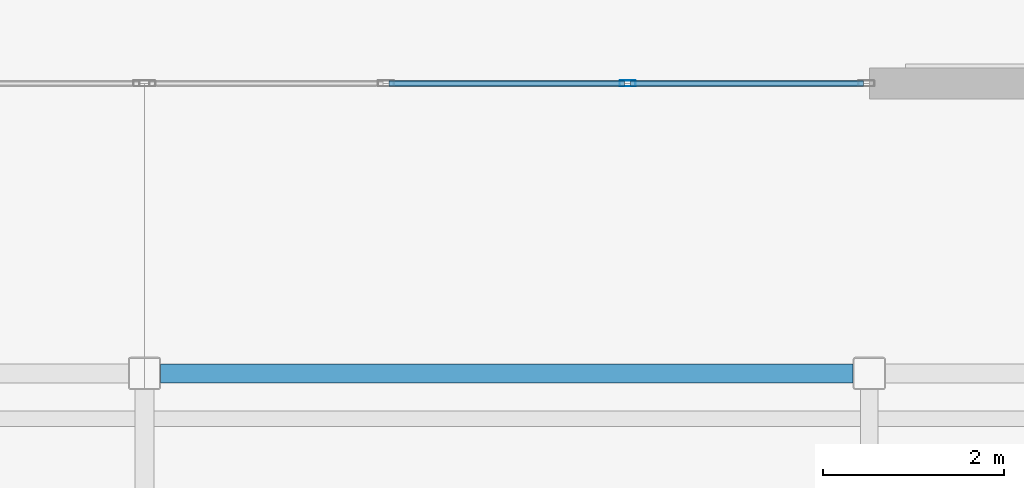
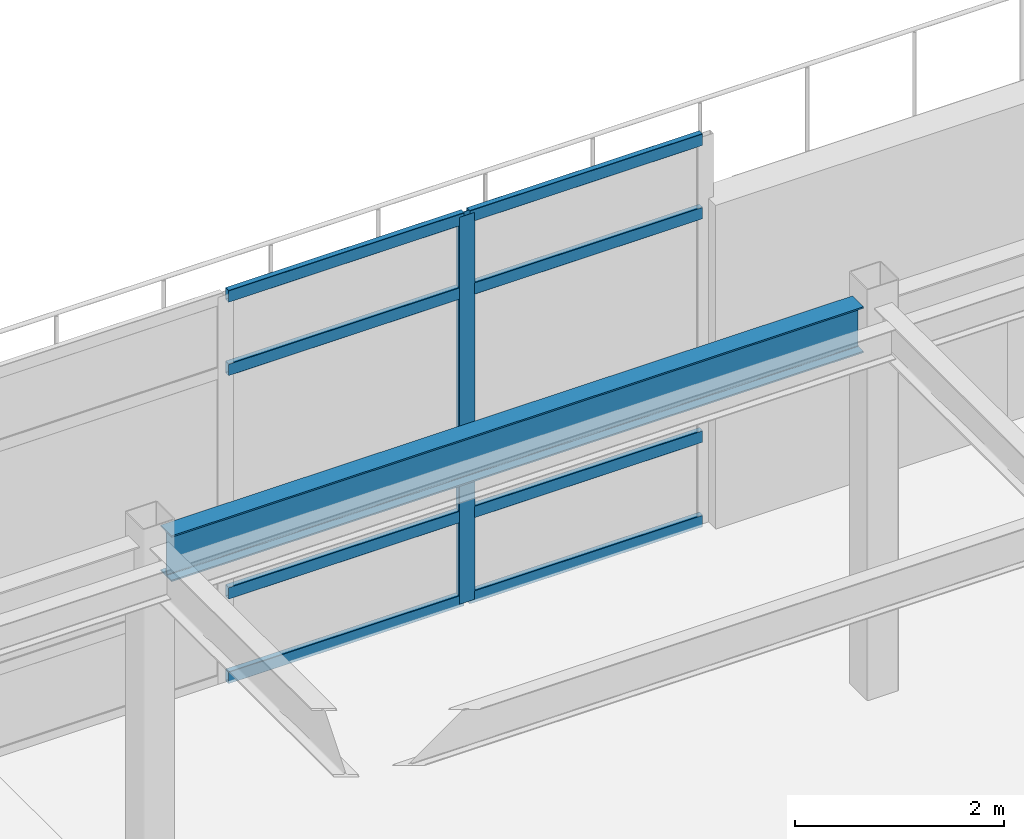
# One storey, part 40 of 117: 9 members, 1 beam, 1 element without a shape of its own.
"""IFC4 building model written with IfcOpenShell, lengths in metres."""

from ifc_helpers import new_model, si_unit, direction, frame, origin, origin_2d, place, context, subcontext, project, spatial, hollow_rectangle, i_section, extrude, material, material_profile, profile_set, type_object, element, aggregate, save


model = new_model("IFC4")

# Units and contexts
model_context = context("Model", 3, precision=1e-05, world=origin(), true_north=direction((0.0, 1.0)))
body_context = subcontext(model_context, "Body", "Model", "MODEL_VIEW")
ifc_project = project(units=[si_unit("LENGTHUNIT", "METRE"), si_unit("AREAUNIT", "SQUARE_METRE"), si_unit("VOLUMEUNIT", "CUBIC_METRE"), si_unit("PLANEANGLEUNIT", "RADIAN"), si_unit("MASSUNIT", "GRAM", prefix="KILO")], contexts=[model_context])

# Site, building, storey
site_placement = place(None, origin())
site = spatial("IfcSite", under=ifc_project, at=site_placement, CompositionType="ELEMENT")
building_placement = place(site_placement, origin())
building = spatial("IfcBuilding", under=site, at=building_placement, Name="Solmirada Galleria", CompositionType="ELEMENT")
storey_placement = place(building_placement, frame((0.0, 0.0, 5.60009765625)))
storey = spatial("IfcBuildingStorey", under=building, at=storey_placement, Name="L01", CompositionType="ELEMENT", Elevation=5.60009765625)

# Beam
ifc_material_1 = material(Name="Steel S355 / ASTM A992 Grade 50", Category="steel")
ifc_material_profile_1 = material_profile(ifc_material_1, i_section(OverallWidth=0.2099609375, OverallDepth=0.537109375, WebThickness=0.010986328125, FlangeThickness=0.017333984375, FilletRadius=0.014892578125, at=origin_2d()), Name="W21X68")
ifc_profile_set_1 = profile_set([ifc_material_profile_1], Name="Steel S355 / ASTM A992 Grade 50")
beam_type = type_object("IfcBeamType", Name="BM-GIRD-W21B", PredefinedType="BEAM", material=ifc_profile_set_1)
beam_placement = place(storey_placement, frame((112.177978515625, 40.0, 4.29150390625), z_axis=(1.0, 0.0, 0.0), x_axis=(0.0, 1.0, 0.0)))
element("IfcBeam", 1, at=beam_placement, inside=storey, type_object=beam_type, Name="Primary beam L02 X(112..120, 40)", PredefinedType="BEAM", context=body_context, shape_type="SweptSolid", body=[
    extrude(i_section(OverallWidth=0.2099609375, OverallDepth=0.537109375, WebThickness=0.010986328125, FlangeThickness=0.017333984375, FilletRadius=0.014892578125, at=origin_2d()), origin(), (0.0, 0.0, 1.0), 7.64404296875),
])

# Curtain wall, members
ifc_material_2 = material(Name="Impact-resistant low-E double glazing", Category="glass")
curtain_wall_type = type_object("IfcCurtainWallType", Name="CW-FZ5-L01-B3-L080", PredefinedType="NOTDEFINED", material=ifc_material_2)
curtain_wall_placement = place(storey_placement, origin())
curtain_wall = element("IfcCurtainWall", 2, at=curtain_wall_placement, inside=storey, type_object=curtain_wall_type, Name="Terrace and arcade storefront CW-L01-075", PredefinedType="NOTDEFINED")
ifc_material_3 = material(Name="Anodised aluminium framing", Category="aluminium")
ifc_material_profile_2 = material_profile(ifc_material_3, hollow_rectangle(XDim=0.06494140625, YDim=0.179931640625, WallThickness=0.00390625, InnerFilletRadius=0.00390625, OuterFilletRadius=0.008056640625, at=origin_2d()), Name="ALU-MULL-180X65")
ifc_profile_set_2 = profile_set([ifc_material_profile_2], Name="Anodised aluminium framing")
member_type_1 = type_object("IfcMemberType", Name="CW-MULL-180", PredefinedType="MULLION", material=ifc_profile_set_2)
member_1_placement = place(storey_placement, frame((117.333251953125, 43.199951171875, 0.0), z_axis=(0.0, 0.0, 1.0), x_axis=(0.0, 1.0, 0.0)))
member_1 = element("IfcMember", 3, at=member_1_placement, type_object=member_type_1, Name="CW17 mullion 3", PredefinedType="MULLION", context=body_context, shape_type="SweptSolid", body=[
    extrude(hollow_rectangle(XDim=0.06494140625, YDim=0.179931640625, WallThickness=0.00390625, InnerFilletRadius=0.00390625, OuterFilletRadius=0.008056640625, at=origin_2d()), origin(), (0.0, 0.0, 1.0), 4.52001953125),
])
ifc_material_profile_3 = material_profile(ifc_material_3, hollow_rectangle(XDim=0.06494140625, YDim=0.139892578125, WallThickness=0.00341796875, InnerFilletRadius=0.00341796875, OuterFilletRadius=0.007080078125, at=origin_2d()), Name="ALU-TRAN-140X65")
ifc_profile_set_3 = profile_set([ifc_material_profile_3], Name="Anodised aluminium framing")
member_type_2 = type_object("IfcMemberType", Name="CW-TRAN-140", PredefinedType="USERDEFINED", material=ifc_profile_set_3)
member_2_placement = place(storey_placement, frame((114.69921875, 43.199951171875, 0.032470703125), z_axis=(1.0, 0.0, 0.0), x_axis=(0.0, 1.0, 0.0)))
member_2 = element("IfcMember", 4, at=member_2_placement, type_object=member_type_2, Name="CW17 transom 2.1", ObjectType="TRANSOM", PredefinedType="USERDEFINED", context=body_context, shape_type="SweptSolid", body=[
    extrude(hollow_rectangle(XDim=0.06494140625, YDim=0.139892578125, WallThickness=0.00341796875, InnerFilletRadius=0.00341796875, OuterFilletRadius=0.007080078125, at=origin_2d()), origin(), (0.0, 0.0, 1.0), 2.6015625),
])
member_3_placement = place(storey_placement, frame((114.69921875, 43.199951171875, 1.02001953125), z_axis=(1.0, 0.0, 0.0), x_axis=(0.0, 1.0, 0.0)))
member_3 = element("IfcMember", 5, at=member_3_placement, type_object=member_type_2, Name="CW17 transom 2.2", ObjectType="TRANSOM", PredefinedType="USERDEFINED", context=body_context, shape_type="SweptSolid", body=[
    extrude(hollow_rectangle(XDim=0.06494140625, YDim=0.139892578125, WallThickness=0.00341796875, InnerFilletRadius=0.00341796875, OuterFilletRadius=0.007080078125, at=origin_2d()), origin(), (0.0, 0.0, 1.0), 2.6015625),
])
member_4_placement = place(storey_placement, frame((114.69921875, 43.199951171875, 3.6298828125), z_axis=(1.0, 0.0, 0.0), x_axis=(0.0, 1.0, 0.0)))
member_4 = element("IfcMember", 6, at=member_4_placement, type_object=member_type_2, Name="CW17 transom 2.3", ObjectType="TRANSOM", PredefinedType="USERDEFINED", context=body_context, shape_type="SweptSolid", body=[
    extrude(hollow_rectangle(XDim=0.06494140625, YDim=0.139892578125, WallThickness=0.00341796875, InnerFilletRadius=0.00341796875, OuterFilletRadius=0.007080078125, at=origin_2d()), origin(), (0.0, 0.0, 1.0), 2.6015625),
])
member_5_placement = place(storey_placement, frame((114.69921875, 43.199951171875, 4.4873046875), z_axis=(1.0, 0.0, 0.0), x_axis=(0.0, 1.0, 0.0)))
member_5 = element("IfcMember", 7, at=member_5_placement, type_object=member_type_2, Name="CW17 transom 2.4", ObjectType="TRANSOM", PredefinedType="USERDEFINED", context=body_context, shape_type="SweptSolid", body=[
    extrude(hollow_rectangle(XDim=0.06494140625, YDim=0.139892578125, WallThickness=0.00341796875, InnerFilletRadius=0.00341796875, OuterFilletRadius=0.007080078125, at=origin_2d()), origin(), (0.0, 0.0, 1.0), 2.6015625),
])
member_6_placement = place(storey_placement, frame((117.36572265625, 43.199951171875, 0.032470703125), z_axis=(1.0, 0.0, 0.0), x_axis=(0.0, 1.0, 0.0)))
member_6 = element("IfcMember", 8, at=member_6_placement, type_object=member_type_2, Name="CW17 transom 3.1", ObjectType="TRANSOM", PredefinedType="USERDEFINED", context=body_context, shape_type="SweptSolid", body=[
    extrude(hollow_rectangle(XDim=0.06494140625, YDim=0.139892578125, WallThickness=0.00341796875, InnerFilletRadius=0.00341796875, OuterFilletRadius=0.007080078125, at=origin_2d()), origin(), (0.0, 0.0, 1.0), 2.5693359375),
])
member_7_placement = place(storey_placement, frame((117.36572265625, 43.199951171875, 1.02001953125), z_axis=(1.0, 0.0, 0.0), x_axis=(0.0, 1.0, 0.0)))
member_7 = element("IfcMember", 9, at=member_7_placement, type_object=member_type_2, Name="CW17 transom 3.2", ObjectType="TRANSOM", PredefinedType="USERDEFINED", context=body_context, shape_type="SweptSolid", body=[
    extrude(hollow_rectangle(XDim=0.06494140625, YDim=0.139892578125, WallThickness=0.00341796875, InnerFilletRadius=0.00341796875, OuterFilletRadius=0.007080078125, at=origin_2d()), origin(), (0.0, 0.0, 1.0), 2.5693359375),
])
member_8_placement = place(storey_placement, frame((117.36572265625, 43.199951171875, 3.6298828125), z_axis=(1.0, 0.0, 0.0), x_axis=(0.0, 1.0, 0.0)))
member_8 = element("IfcMember", 10, at=member_8_placement, type_object=member_type_2, Name="CW17 transom 3.3", ObjectType="TRANSOM", PredefinedType="USERDEFINED", context=body_context, shape_type="SweptSolid", body=[
    extrude(hollow_rectangle(XDim=0.06494140625, YDim=0.139892578125, WallThickness=0.00341796875, InnerFilletRadius=0.00341796875, OuterFilletRadius=0.007080078125, at=origin_2d()), origin(), (0.0, 0.0, 1.0), 2.5693359375),
])
member_9_placement = place(storey_placement, frame((117.36572265625, 43.199951171875, 4.4873046875), z_axis=(1.0, 0.0, 0.0), x_axis=(0.0, 1.0, 0.0)))
member_9 = element("IfcMember", 11, at=member_9_placement, type_object=member_type_2, Name="CW17 transom 3.4", ObjectType="TRANSOM", PredefinedType="USERDEFINED", context=body_context, shape_type="SweptSolid", body=[
    extrude(hollow_rectangle(XDim=0.06494140625, YDim=0.139892578125, WallThickness=0.00341796875, InnerFilletRadius=0.00341796875, OuterFilletRadius=0.007080078125, at=origin_2d()), origin(), (0.0, 0.0, 1.0), 2.5693359375),
])
aggregate(curtain_wall, [member_1, member_2, member_3, member_4, member_5, member_6, member_7, member_8, member_9])

save(model, "model.ifc")
